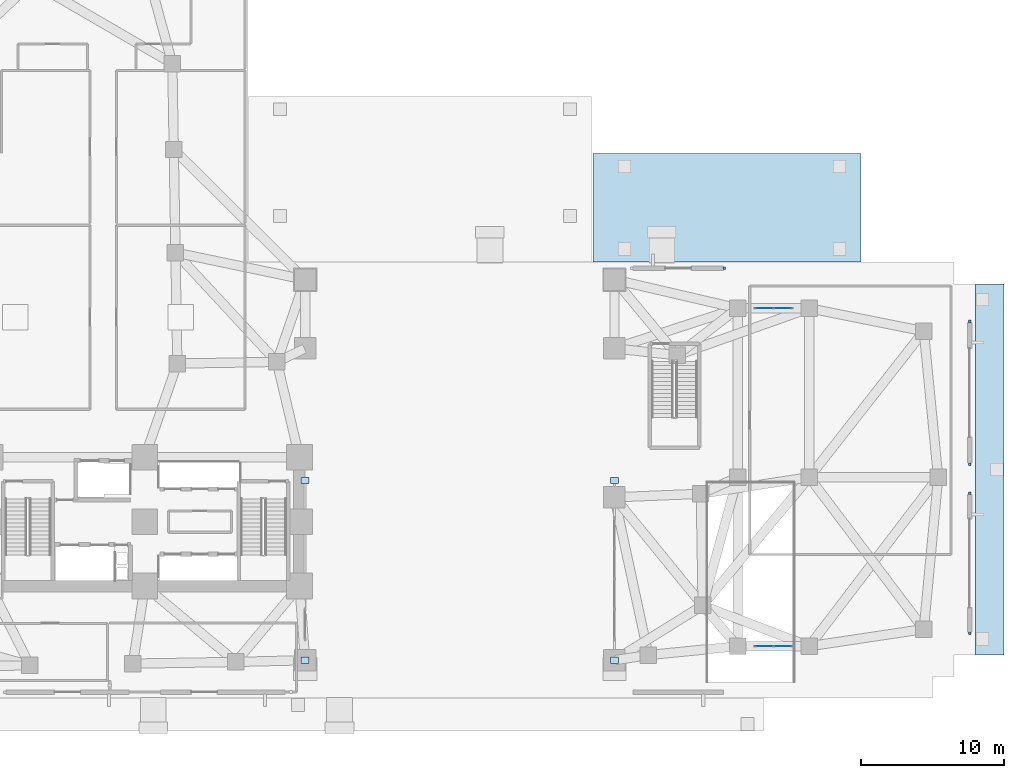
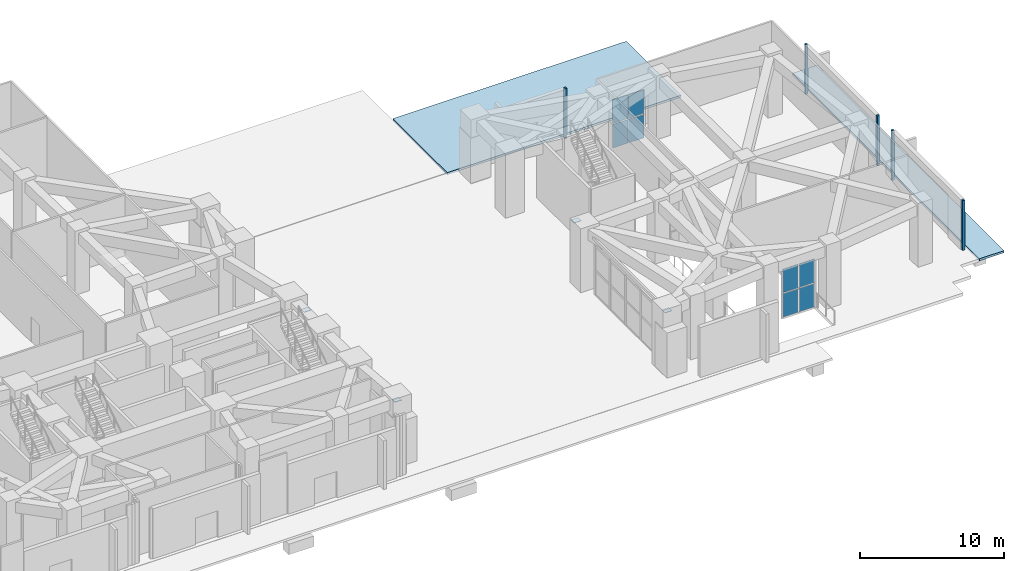
# One storey, part 9 of 19: 17 plates, 2 slabs, 2 elements without a shape of their own.
"""IFC4 building model written with IfcOpenShell, lengths in metres."""

from ifc_helpers import new_model, si_unit, direction, frame, origin, origin_2d, place, context, subcontext, project, spatial, polyline, rectangle, outline, extrude, material, layer, layer_set, type_object, element, aggregate, save


model = new_model("IFC4")

# Units and contexts
model_context = context("Model", 3, precision=1e-05, world=origin(), true_north=direction((0.0, 1.0)))
body_context = subcontext(model_context, "Body", "Model", "MODEL_VIEW")
ifc_project = project(units=[si_unit("LENGTHUNIT", "METRE"), si_unit("AREAUNIT", "SQUARE_METRE"), si_unit("VOLUMEUNIT", "CUBIC_METRE"), si_unit("PLANEANGLEUNIT", "RADIAN"), si_unit("MASSUNIT", "GRAM", prefix="KILO")], contexts=[model_context])

# Site, building, storey
site_placement = place(None, origin())
site = spatial("IfcSite", under=ifc_project, at=site_placement, CompositionType="ELEMENT")
building_placement = place(site_placement, origin())
building = spatial("IfcBuilding", under=site, at=building_placement, Name="Gaonmaruhae Medical Tower", CompositionType="ELEMENT")
storey_placement = place(building_placement, origin())
storey = spatial("IfcBuildingStorey", under=building, at=storey_placement, Name="L00", CompositionType="ELEMENT", Elevation=0.0)

# Curtain wall, plates
ifc_material_1 = material(Name="Anodised aluminium and Low-E double glazing", Category="aluminium")
curtain_wall_type = type_object("IfcCurtainWallType", Name="CW-S6 Podium Diagnostic Atrium Curtain Wall", PredefinedType="NOTDEFINED", material=ifc_material_1)
curtain_wall_1_placement = place(storey_placement, origin())
curtain_wall_1 = element("IfcCurtainWall", 1, at=curtain_wall_1_placement, inside=storey, type_object=curtain_wall_type, Name="L00 Curtain Wall CW-L00-S6A", PredefinedType="NOTDEFINED")
ifc_material_2 = material(Name="Low-E double solar glass", Category="glass")
ifc_layer_1 = layer(ifc_material_2, 0.028076171875)
ifc_layer_set_1 = layer_set([ifc_layer_1], Name="Low-E double solar glass")
plate_type_1 = type_object("IfcPlateType", Name="CWP-V1 Low-E Double Vision Glazing Panel", PredefinedType="CURTAIN_PANEL", material=ifc_layer_set_1)
plate_1_placement = place(storey_placement, frame((68.052734375, 27.199951171875, 0.074951171875), z_axis=(0.0, 0.0, 1.0), x_axis=(1.0, 0.0, 0.0)))
plate_1 = element("IfcPlate", 2, at=plate_1_placement, type_object=plate_type_1, Name="CW-S6 panel 1.1", PredefinedType="CURTAIN_PANEL", context=body_context, shape_type="SweptSolid", body=[
    extrude(rectangle(XDim=1.229248046875, YDim=0.028076171875, at=origin_2d()), origin(), (0.0, 0.0, 1.0), 2.00244140625),
])
plate_2_placement = place(storey_placement, frame((68.052734375, 27.199951171875, 2.152587890625), z_axis=(0.0, 0.0, 1.0), x_axis=(1.0, 0.0, 0.0)))
plate_2 = element("IfcPlate", 3, at=plate_2_placement, type_object=plate_type_1, Name="CW-S6 panel 1.2", PredefinedType="CURTAIN_PANEL", context=body_context, shape_type="SweptSolid", body=[
    extrude(rectangle(XDim=1.229248046875, YDim=0.028076171875, at=origin_2d()), origin(), (0.0, 0.0, 1.0), 2.00244140625),
])
plate_3_placement = place(storey_placement, frame((69.34716796875, 27.199951171875, 0.074951171875), z_axis=(0.0, 0.0, 1.0), x_axis=(1.0, 0.0, 0.0)))
plate_3 = element("IfcPlate", 4, at=plate_3_placement, type_object=plate_type_1, Name="CW-S6 panel 2.1", PredefinedType="CURTAIN_PANEL", context=body_context, shape_type="SweptSolid", body=[
    extrude(rectangle(XDim=1.229248046875, YDim=0.028076171875, at=origin_2d()), origin(), (0.0, 0.0, 1.0), 2.00244140625),
])
plate_4_placement = place(storey_placement, frame((69.34716796875, 27.199951171875, 2.152587890625), z_axis=(0.0, 0.0, 1.0), x_axis=(1.0, 0.0, 0.0)))
plate_4 = element("IfcPlate", 5, at=plate_4_placement, type_object=plate_type_1, Name="CW-S6 panel 2.2", PredefinedType="CURTAIN_PANEL", context=body_context, shape_type="SweptSolid", body=[
    extrude(rectangle(XDim=1.229248046875, YDim=0.028076171875, at=origin_2d()), origin(), (0.0, 0.0, 1.0), 2.00244140625),
])
aggregate(curtain_wall_1, [plate_1, plate_2, plate_3, plate_4])

curtain_wall_2_placement = place(storey_placement, origin())
curtain_wall_2 = element("IfcCurtainWall", 6, at=curtain_wall_2_placement, inside=storey, type_object=curtain_wall_type, Name="L00 Curtain Wall CW-L00-S6B", PredefinedType="NOTDEFINED")
plate_5_placement = place(storey_placement, frame((68.052734375, 3.60009765625, 0.074951171875), z_axis=(0.0, 0.0, 1.0), x_axis=(1.0, 0.0, 0.0)))
plate_5 = element("IfcPlate", 7, at=plate_5_placement, type_object=plate_type_1, Name="CW-S6 panel 1.1", PredefinedType="CURTAIN_PANEL", context=body_context, shape_type="SweptSolid", body=[
    extrude(rectangle(XDim=1.229248046875, YDim=0.028076171875, at=origin_2d()), origin(), (0.0, 0.0, 1.0), 2.00244140625),
])
plate_6_placement = place(storey_placement, frame((68.052734375, 3.60009765625, 2.152587890625), z_axis=(0.0, 0.0, 1.0), x_axis=(1.0, 0.0, 0.0)))
plate_6 = element("IfcPlate", 8, at=plate_6_placement, type_object=plate_type_1, Name="CW-S6 panel 1.2", PredefinedType="CURTAIN_PANEL", context=body_context, shape_type="SweptSolid", body=[
    extrude(rectangle(XDim=1.229248046875, YDim=0.028076171875, at=origin_2d()), origin(), (0.0, 0.0, 1.0), 2.00244140625),
])
plate_7_placement = place(storey_placement, frame((69.34716796875, 3.60009765625, 0.074951171875), z_axis=(0.0, 0.0, 1.0), x_axis=(1.0, 0.0, 0.0)))
plate_7 = element("IfcPlate", 9, at=plate_7_placement, type_object=plate_type_1, Name="CW-S6 panel 2.1", PredefinedType="CURTAIN_PANEL", context=body_context, shape_type="SweptSolid", body=[
    extrude(rectangle(XDim=1.229248046875, YDim=0.028076171875, at=origin_2d()), origin(), (0.0, 0.0, 1.0), 2.00244140625),
])
plate_8_placement = place(storey_placement, frame((69.34716796875, 3.60009765625, 2.152587890625), z_axis=(0.0, 0.0, 1.0), x_axis=(1.0, 0.0, 0.0)))
plate_8 = element("IfcPlate", 10, at=plate_8_placement, type_object=plate_type_1, Name="CW-S6 panel 2.2", PredefinedType="CURTAIN_PANEL", context=body_context, shape_type="SweptSolid", body=[
    extrude(rectangle(XDim=1.229248046875, YDim=0.028076171875, at=origin_2d()), origin(), (0.0, 0.0, 1.0), 2.00244140625),
])
aggregate(curtain_wall_2, [plate_5, plate_6, plate_7, plate_8])

# Plates
ifc_material_3 = material(Name="Steel HSA650 (650 MPa)", Category="steel")
ifc_layer_2 = layer(ifc_material_3, 0.028076171875)
ifc_layer_set_2 = layer_set([ifc_layer_2], Name="Steel HSA650 (650 MPa)")
plate_type_2 = type_object("IfcPlateType", Name="GP-02 Tube Brace End Cap Gusset Plate", PredefinedType="USERDEFINED", material=ifc_layer_set_2)
for number, where, z_axis, x_axis, name in (
    (11, (36.0, 2.6259765625, 4.68603515625), (0.0, 0.0, 1.0), (1.0, 0.0, 0.0), "L00 Gusset Cap Plate PLT-L00-PR01A"),
    (12, (36.0, 15.179931640625, 4.68603515625), (0.0, 0.0, 1.0), (1.0, 0.0, 0.0), "L00 Gusset Cap Plate PLT-L00-PR01B"),
    (13, (57.60009765625, 2.6259765625, 4.68603515625), (0.0, 0.0, 1.0), (1.0, 0.0, 0.0), "L00 Gusset Cap Plate PLT-L00-PR02A"),
    (14, (57.60009765625, 15.179931640625, 4.68603515625), (0.0, 0.0, 1.0), (1.0, 0.0, 0.0), "L00 Gusset Cap Plate PLT-L00-PR02B"),
):
    element("IfcPlate", number, at=place(storey_placement, frame(where, z_axis=z_axis, x_axis=x_axis)), inside=storey, type_object=plate_type_2, Name=name, ObjectType="GUSSET_PLATE", PredefinedType="USERDEFINED", context=body_context, shape_type="SweptSolid", body=[
        extrude(rectangle(XDim=0.56005859375, YDim=0.43994140625, at=origin_2d()), origin(), (0.0, 0.0, 1.0), 0.028076171875),
    ])
ifc_material_4 = material(Name="Anodised aluminium 6063-T6", Category="aluminium")
ifc_layer_3 = layer(ifc_material_4, 0.011962890625)
ifc_layer_set_3 = layer_set([ifc_layer_3], Name="Anodised aluminium 6063-T6")
plate_type_3 = type_object("IfcPlateType", Name="PP-01 Interior Partition Corner Stiffener Plate", PredefinedType="SHEET", material=ifc_layer_set_3)
for number, where, z_axis, x_axis, name in (
    (15, (82.39990234375, 14.280029296875, 0.0), (0.0, 0.0, 1.0), (0.0, -1.0, 0.0), "L00 Partition End Jamb Post Plate PLT-L00-ENDP-E1-0"),
    (16, (82.39990234375, 4.52001953125, 0.0), (0.0, 0.0, 1.0), (0.0, -1.0, 0.0), "L00 Partition End Jamb Post Plate PLT-L00-ENDP-E1-1"),
    (17, (82.39990234375, 26.280029296875, 0.0), (0.0, 0.0, 1.0), (0.0, -1.0, 0.0), "L00 Partition End Jamb Post Plate PLT-L00-ENDP-E2-0"),
    (18, (82.39990234375, 16.320068359375, 0.0), (0.0, 0.0, 1.0), (0.0, -1.0, 0.0), "L00 Partition End Jamb Post Plate PLT-L00-ENDP-E2-1"),
    (19, (65.280029296875, 30.0, 0.0), (0.0, 0.0, 1.0), (1.0, 0.0, 0.0), "L00 Partition End Jamb Post Plate PLT-L00-ENDP-N1-1"),
):
    element("IfcPlate", number, at=place(storey_placement, frame(where, z_axis=z_axis, x_axis=x_axis)), inside=storey, type_object=plate_type_3, Name=name, PredefinedType="SHEET", context=body_context, shape_type="SweptSolid", body=[
        extrude(rectangle(XDim=0.179931640625, YDim=0.179931640625, at=origin_2d()), origin(), (0.0, 0.0, 1.0), 4.22998046875),
    ])

# Slabs
ifc_material_5 = material(Name="Honed Busan granite paving", Category="masonry")
ifc_layer_4 = layer(ifc_material_5, 0.179931640625)
ifc_layer_set_4 = layer_set([ifc_layer_4], Name="Honed Busan granite paving")
slab_type = type_object("IfcSlabType", Name="PV-180 Exterior Granite Plaza Paving Slab", PredefinedType="USERDEFINED", material=ifc_layer_set_4)
slab_1_placement = place(storey_placement, frame((0.0, 0.0, -0.179931640625)))
element("IfcSlab", 20, at=slab_1_placement, inside=storey, type_object=slab_type, Name="L00 East Forecourt Granite Plaza Paving", ObjectType="PAVING", PredefinedType="USERDEFINED", context=body_context, shape_type="SweptSolid", body=[
    extrude(outline(polyline([(56.10009765625, 38.0), (74.800048828125, 38.0), (74.800048828125, 30.449951171875), (56.10009765625, 30.449951171875), (56.10009765625, 38.0)])), origin(), (0.0, 0.0, 1.0), 0.179931640625),
])
slab_2_placement = place(storey_placement, frame((0.0, 0.0, -0.179931640625)))
element("IfcSlab", 21, at=slab_2_placement, inside=storey, type_object=slab_type, Name="L00 East Vehicle Ramp & Ambulance Apron Paving", ObjectType="PAVING", PredefinedType="USERDEFINED", context=body_context, shape_type="SweptSolid", body=[
    extrude(outline(polyline([(84.800048828125, 28.89990234375), (84.800048828125, 3.0), (82.820068359375, 3.0), (82.820068359375, 28.89990234375), (84.800048828125, 28.89990234375)])), origin(), (0.0, 0.0, 1.0), 0.179931640625),
])

save(model, "model.ifc")
